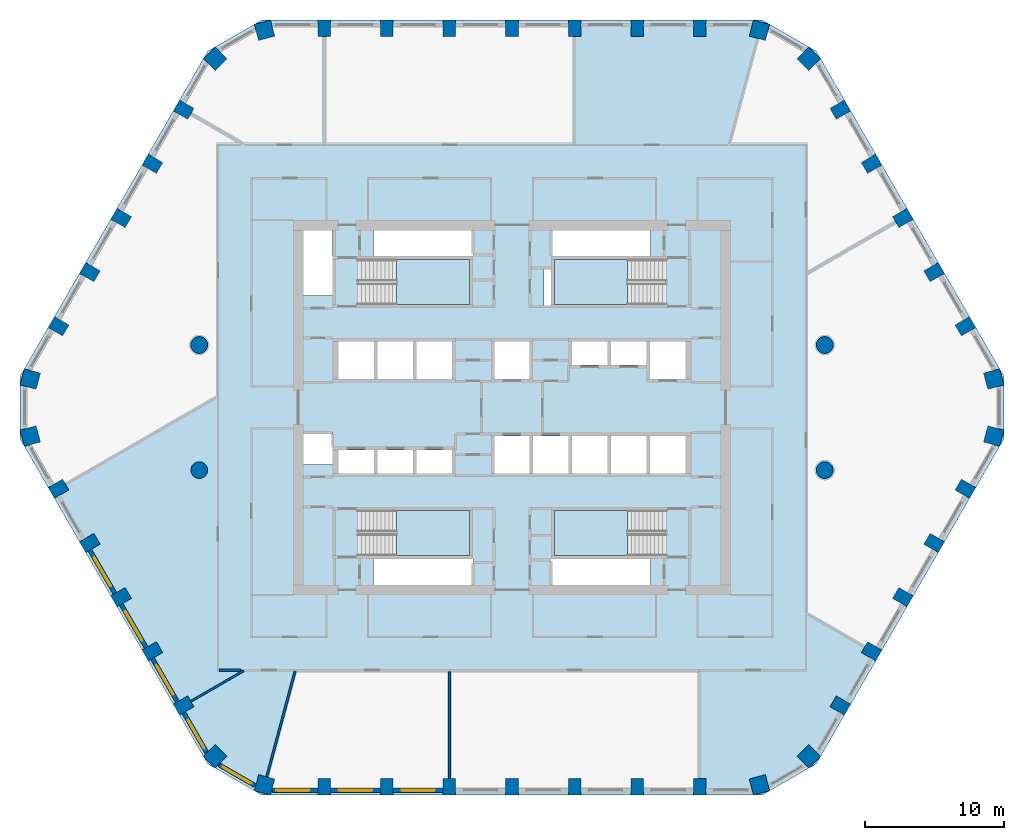
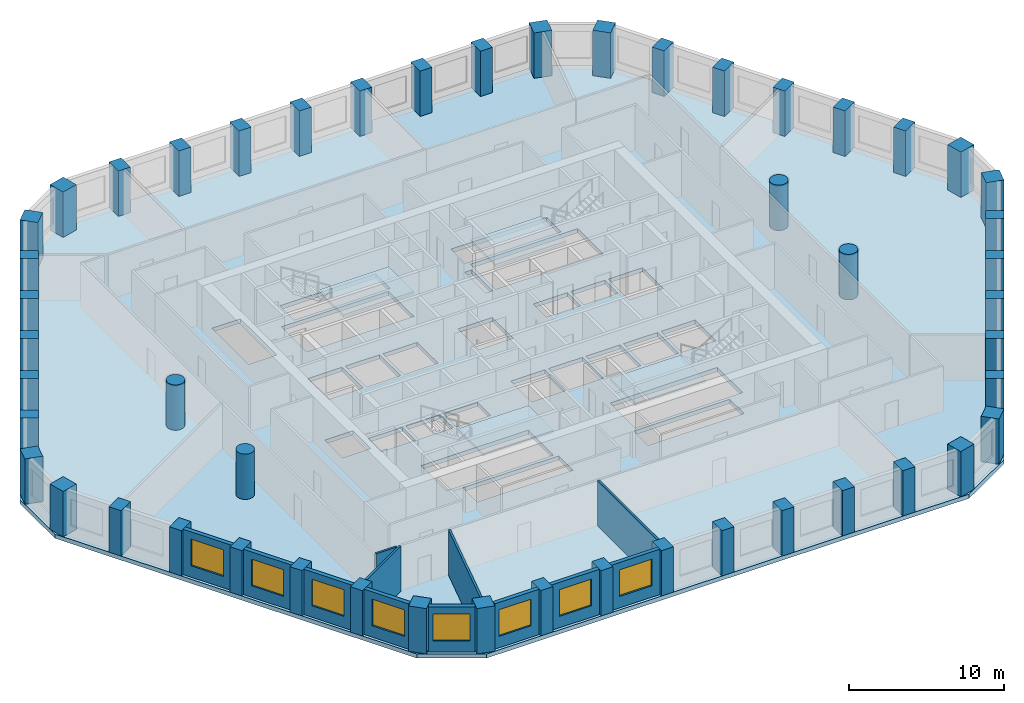
# One storey, part 1 of 14: 50 columns, 12 walls, 8 windows, 5 slabs, 8 openings, 4 elements without a shape of their own.
"""IFC4 building model written with IfcOpenShell, lengths in metres."""

from ifc_helpers import new_model, si_unit, direction, frame, frame_2d, origin, origin_2d, place, context, subcontext, project, spatial, polyline, rectangle, circle, outline, extrude, material, layer, layer_set, material_profile, profile_set, type_object, element, fill, aggregate, save


model = new_model("IFC4")

# Units and contexts
model_context = context("Model", 3, precision=1e-05, world=origin(), true_north=direction((0.0, 1.0)))
body_context = subcontext(model_context, "Body", "Model", "MODEL_VIEW")
ifc_project = project(units=[si_unit("LENGTHUNIT", "METRE"), si_unit("AREAUNIT", "SQUARE_METRE"), si_unit("VOLUMEUNIT", "CUBIC_METRE"), si_unit("PLANEANGLEUNIT", "RADIAN"), si_unit("MASSUNIT", "GRAM", prefix="KILO")], contexts=[model_context])

# Site, building, storey
site_placement = place(None, origin())
site = spatial("IfcSite", under=ifc_project, at=site_placement, CompositionType="ELEMENT")
building_placement = place(site_placement, origin())
building = spatial("IfcBuilding", under=site, at=building_placement, Name="Dhurran Vertical Campus", CompositionType="ELEMENT")
storey_placement = place(building_placement, frame((0.0, 0.0, 140.39990234375)))
storey = spatial("IfcBuildingStorey", under=building, at=storey_placement, Name="L34", CompositionType="ELEMENT", Elevation=140.39990234375)

# Columns
ifc_material_1 = material(Name="Concrete C60/75", Category="concrete")
ifc_material_profile_1 = material_profile(ifc_material_1, rectangle(XDim=1.199951171875, YDim=1.199951171875, at=origin_2d()), Name="RC 1200x1200")
ifc_profile_set_1 = profile_set([ifc_material_profile_1], Name="Concrete C60/75")
column_type_1 = type_object("IfcColumnType", Name="FR COL RC 1200x1200 C60/75", PredefinedType="COLUMN", material=ifc_profile_set_1)
for number, where, z_axis, x_axis, name in (
    (1, (-17.802978515625, -27.147705078125, 0.0), (0.0, 0.0, 1.0), (0.965925826289, -0.258819045103, 0.0), "Perimeter pier PP3.00"),
    (2, (17.802978515625, -27.147705078125, 0.0), (0.0, 0.0, 1.0), (0.965925826289, 0.258819045103, 0.0), "Perimeter pier PP3.08"),
    (3, (21.359130859375, -25.0947265625, 0.0), (0.0, 0.0, 1.0), (0.707106781187, 0.707106781187, 0.0), "Perimeter pier PP3.09"),
    (4, (34.662353515625, -2.052978515625, 0.0), (0.0, 0.0, 1.0), (0.258819045103, 0.965925826289, 0.0), "Perimeter pier PP3.15"),
    (5, (34.662353515625, 2.052978515625, 0.0), (0.0, 0.0, 1.0), (-0.258819045103, 0.965925826289, 0.0), "Perimeter pier PP3.16"),
    (6, (21.359130859375, 25.0947265625, 0.0), (0.0, 0.0, 1.0), (-0.707106781187, 0.707106781187, 0.0), "Perimeter pier PP3.22"),
    (7, (17.802978515625, 27.147705078125, 0.0), (0.0, 0.0, 1.0), (-0.965925826289, 0.258819045103, 0.0), "Perimeter pier PP3.23"),
    (8, (-17.802978515625, 27.147705078125, 0.0), (0.0, 0.0, 1.0), (-0.965925826289, -0.258819045103, 0.0), "Perimeter pier PP3.31"),
    (9, (-21.359130859375, 25.0947265625, 0.0), (0.0, 0.0, 1.0), (-0.707106781187, -0.707106781187, 0.0), "Perimeter pier PP3.32"),
    (10, (-34.662353515625, 2.052978515625, 0.0), (0.0, 0.0, 1.0), (-0.258819045103, -0.965925826289, 0.0), "Perimeter pier PP3.38"),
    (11, (-34.662353515625, -2.052978515625, 0.0), (0.0, 0.0, 1.0), (0.258819045103, -0.965925826289, 0.0), "Perimeter pier PP3.39"),
    (12, (-21.359130859375, -25.0947265625, 0.0), (0.0, 0.0, 1.0), (0.707106781187, -0.707106781187, 0.0), "Perimeter pier PP3.45"),
):
    element("IfcColumn", number, at=place(storey_placement, frame(where, z_axis=z_axis, x_axis=x_axis)), inside=storey, type_object=column_type_1, Name=name, PredefinedType="COLUMN", context=body_context, shape_type="SweptSolid", body=[
        extrude(rectangle(XDim=1.199951171875, YDim=1.199951171875, at=origin_2d()), origin(), (0.0, 0.0, 1.0), 3.5751953125),
    ])
ifc_material_2 = material(Name="Concrete C60/75", Category="concrete")
ifc_material_profile_2 = material_profile(ifc_material_2, rectangle(XDim=0.89990234375, YDim=1.199951171875, at=origin_2d()), Name="RC 900x1200")
ifc_profile_set_2 = profile_set([ifc_material_profile_2], Name="Concrete C60/75")
column_type_2 = type_object("IfcColumnType", Name="FR COL RC 900x1200 C60/75", PredefinedType="COLUMN", material=ifc_profile_set_2)
for number, where, z_axis, x_axis, name in (
    (13, (-13.5, -27.28271484375, 0.0), (0.0, 0.0, 1.0), (1.0, 0.0, 0.0), "Perimeter pier PP3.01"),
    (14, (-9.0, -27.28271484375, 0.0), (0.0, 0.0, 1.0), (1.0, 0.0, 0.0), "Perimeter pier PP3.02"),
    (15, (-4.5, -27.28271484375, 0.0), (0.0, 0.0, 1.0), (1.0, 0.0, 0.0), "Perimeter pier PP3.03"),
    (16, (0.0, -27.28271484375, 0.0), (0.0, 0.0, 1.0), (1.0, 0.0, 0.0), "Perimeter pier PP3.04"),
    (17, (4.5, -27.28271484375, 0.0), (0.0, 0.0, 1.0), (1.0, 0.0, 0.0), "Perimeter pier PP3.05"),
    (18, (9.0, -27.28271484375, 0.0), (0.0, 0.0, 1.0), (1.0, 0.0, 0.0), "Perimeter pier PP3.06"),
    (19, (13.5, -27.28271484375, 0.0), (0.0, 0.0, 1.0), (1.0, 0.0, 0.0), "Perimeter pier PP3.07"),
    (20, (23.62744140625, -21.435546875, 0.0), (0.0, 0.0, 1.0), (0.5, 0.866025403784, 0.0), "Perimeter pier PP3.10"),
    (21, (25.87744140625, -17.53857421875, 0.0), (0.0, 0.0, 1.0), (0.5, 0.866025403784, 0.0), "Perimeter pier PP3.11"),
    (22, (28.12744140625, -13.641357421875, 0.0), (0.0, 0.0, 1.0), (0.5, 0.866025403784, 0.0), "Perimeter pier PP3.12"),
    (23, (30.37744140625, -9.744140625, 0.0), (0.0, 0.0, 1.0), (0.5, 0.866025403784, 0.0), "Perimeter pier PP3.13"),
    (24, (32.62744140625, -5.84716796875, 0.0), (0.0, 0.0, 1.0), (0.5, 0.866025403784, 0.0), "Perimeter pier PP3.14"),
    (25, (32.62744140625, 5.84716796875, 0.0), (0.0, 0.0, 1.0), (-0.5, 0.866025403784, 0.0), "Perimeter pier PP3.17"),
    (26, (30.37744140625, 9.744140625, 0.0), (0.0, 0.0, 1.0), (-0.5, 0.866025403784, 0.0), "Perimeter pier PP3.18"),
    (27, (28.12744140625, 13.641357421875, 0.0), (0.0, 0.0, 1.0), (-0.5, 0.866025403784, 0.0), "Perimeter pier PP3.19"),
    (28, (25.87744140625, 17.53857421875, 0.0), (0.0, 0.0, 1.0), (-0.5, 0.866025403784, 0.0), "Perimeter pier PP3.20"),
    (29, (23.62744140625, 21.435546875, 0.0), (0.0, 0.0, 1.0), (-0.5, 0.866025403784, 0.0), "Perimeter pier PP3.21"),
    (30, (13.5, 27.28271484375, 0.0), (0.0, 0.0, 1.0), (-1.0, 0.0, 0.0), "Perimeter pier PP3.24"),
    (31, (9.0, 27.28271484375, 0.0), (0.0, 0.0, 1.0), (-1.0, 0.0, 0.0), "Perimeter pier PP3.25"),
    (32, (4.5, 27.28271484375, 0.0), (0.0, 0.0, 1.0), (-1.0, 0.0, 0.0), "Perimeter pier PP3.26"),
    (33, (0.0, 27.28271484375, 0.0), (0.0, 0.0, 1.0), (-1.0, 0.0, 0.0), "Perimeter pier PP3.27"),
    (34, (-4.5, 27.28271484375, 0.0), (0.0, 0.0, 1.0), (-1.0, 0.0, 0.0), "Perimeter pier PP3.28"),
    (35, (-9.0, 27.28271484375, 0.0), (0.0, 0.0, 1.0), (-1.0, 0.0, 0.0), "Perimeter pier PP3.29"),
    (36, (-13.5, 27.28271484375, 0.0), (0.0, 0.0, 1.0), (-1.0, 0.0, 0.0), "Perimeter pier PP3.30"),
    (37, (-23.62744140625, 21.435546875, 0.0), (0.0, 0.0, 1.0), (-0.5, -0.866025403784, 0.0), "Perimeter pier PP3.33"),
    (38, (-25.87744140625, 17.53857421875, 0.0), (0.0, 0.0, 1.0), (-0.5, -0.866025403784, 0.0), "Perimeter pier PP3.34"),
    (39, (-28.12744140625, 13.641357421875, 0.0), (0.0, 0.0, 1.0), (-0.5, -0.866025403784, 0.0), "Perimeter pier PP3.35"),
    (40, (-30.37744140625, 9.744140625, 0.0), (0.0, 0.0, 1.0), (-0.5, -0.866025403784, 0.0), "Perimeter pier PP3.36"),
    (41, (-32.62744140625, 5.84716796875, 0.0), (0.0, 0.0, 1.0), (-0.5, -0.866025403784, 0.0), "Perimeter pier PP3.37"),
    (42, (-32.62744140625, -5.84716796875, 0.0), (0.0, 0.0, 1.0), (0.5, -0.866025403784, 0.0), "Perimeter pier PP3.40"),
    (43, (-30.37744140625, -9.744140625, 0.0), (0.0, 0.0, 1.0), (0.5, -0.866025403784, 0.0), "Perimeter pier PP3.41"),
    (44, (-28.12744140625, -13.641357421875, 0.0), (0.0, 0.0, 1.0), (0.5, -0.866025403784, 0.0), "Perimeter pier PP3.42"),
    (45, (-25.87744140625, -17.53857421875, 0.0), (0.0, 0.0, 1.0), (0.5, -0.866025403784, 0.0), "Perimeter pier PP3.43"),
    (46, (-23.62744140625, -21.435546875, 0.0), (0.0, 0.0, 1.0), (0.5, -0.866025403784, 0.0), "Perimeter pier PP3.44"),
):
    element("IfcColumn", number, at=place(storey_placement, frame(where, z_axis=z_axis, x_axis=x_axis)), inside=storey, type_object=column_type_2, Name=name, PredefinedType="COLUMN", context=body_context, shape_type="SweptSolid", body=[
        extrude(rectangle(XDim=0.89990234375, YDim=1.199951171875, at=origin_2d()), origin(), (0.0, 0.0, 1.0), 3.5751953125),
    ])
ifc_material_3 = material(Name="Concrete C60/75", Category="concrete")
ifc_material_profile_3 = material_profile(ifc_material_3, circle(Radius=0.60009765625, at=origin_2d()), Name="RCC D1200")
ifc_profile_set_3 = profile_set([ifc_material_profile_3], Name="Concrete C60/75")
column_type_3 = type_object("IfcColumnType", Name="FR COL RCC D1200 C60/75", PredefinedType="COLUMN", material=ifc_profile_set_3)
for number, where, z_axis, x_axis, name in (
    (47, (-22.5, -4.5, 0.0), (0.0, 0.0, 1.0), (1.0, 0.0, 0.0), "Inner column IC3-D5"),
    (48, (-22.5, 4.5, 0.0), (0.0, 0.0, 1.0), (1.0, 0.0, 0.0), "Inner column IC3-D6"),
    (49, (22.5, -4.5, 0.0), (0.0, 0.0, 1.0), (1.0, 0.0, 0.0), "Inner column IC3-J5"),
    (50, (22.5, 4.5, 0.0), (0.0, 0.0, 1.0), (1.0, 0.0, 0.0), "Inner column IC3-J6"),
):
    element("IfcColumn", number, at=place(storey_placement, frame(where, z_axis=z_axis, x_axis=x_axis)), inside=storey, type_object=column_type_3, Name=name, PredefinedType="COLUMN", context=body_context, shape_type="SweptSolid", body=[
        extrude(circle(Radius=0.60009765625, at=origin_2d()), origin(), (0.0, 0.0, 1.0), 3.5751953125),
    ])

# Slab
ifc_material_4 = material(Name="Concrete C40/50", Category="concrete")
ifc_layer_1 = layer(ifc_material_4, 0.324951171875)
ifc_layer_set_1 = layer_set([ifc_layer_1], Name="Concrete C40/50")
slab_type_1 = type_object("IfcSlabType", Name="FR POST-TENSIONED FLAT SLAB 325", PredefinedType="FLOOR", material=ifc_layer_set_1)
slab_1_placement = place(storey_placement, frame((0.0, 0.0, -0.324951171875)))
element("IfcSlab", 51, at=slab_1_placement, inside=storey, type_object=slab_type_1, Name="Floor slab L34", PredefinedType="FLOOR", context=body_context, shape_type="SweptSolid", body=[
    extrude(outline(polyline([(-18.0, -27.8828125), (18.0, -27.8828125), (21.897216796875, -25.6328125), (35.397216796875, -2.25), (35.397216796875, 2.25), (21.897216796875, 25.6328125), (18.0, 27.8828125), (-18.0, 27.8828125), (-21.897216796875, 25.6328125), (-35.397216796875, 2.25), (-35.397216796875, -2.25), (-21.897216796875, -25.6328125), (-18.0, -27.8828125)]), holes=[polyline([(-12.47509765625, 2.050048828125), (-9.925048828125, 2.050048828125), (-9.925048828125, 4.75), (-12.47509765625, 4.75), (-12.47509765625, 2.050048828125)]), polyline([(-9.675048828125, 2.050048828125), (-7.125, 2.050048828125), (-7.125, 4.75), (-9.675048828125, 4.75), (-9.675048828125, 2.050048828125)]), polyline([(-6.875, 2.050048828125), (-4.324951171875, 2.050048828125), (-4.324951171875, 4.75), (-6.875, 4.75), (-6.875, 2.050048828125)]), polyline([(-1.27490234375, 2.050048828125), (1.27490234375, 2.050048828125), (1.27490234375, 4.75), (-1.27490234375, 4.75), (-1.27490234375, 2.050048828125)]), polyline([(9.925048828125, 2.050048828125), (12.47509765625, 2.050048828125), (12.47509765625, 4.75), (9.925048828125, 4.75), (9.925048828125, 2.050048828125)]), polyline([(-1.27490234375, -4.75), (1.27490234375, -4.75), (1.27490234375, -2.050048828125), (-1.27490234375, -2.050048828125), (-1.27490234375, -4.75)]), polyline([(1.52490234375, -4.75), (4.074951171875, -4.75), (4.074951171875, -2.050048828125), (1.52490234375, -2.050048828125), (1.52490234375, -4.75)]), polyline([(4.324951171875, -4.75), (6.875, -4.75), (6.875, -2.050048828125), (4.324951171875, -2.050048828125), (4.324951171875, -4.75)]), polyline([(7.125, -4.75), (9.675048828125, -4.75), (9.675048828125, -2.050048828125), (7.125, -2.050048828125), (7.125, -4.75)]), polyline([(9.925048828125, -4.75), (12.47509765625, -4.75), (12.47509765625, -2.050048828125), (9.925048828125, -2.050048828125), (9.925048828125, -4.75)]), polyline([(4.324951171875, 3.050048828125), (6.875, 3.050048828125), (6.875, 4.75), (4.324951171875, 4.75), (4.324951171875, 3.050048828125)]), polyline([(7.125, 3.050048828125), (9.675048828125, 3.050048828125), (9.675048828125, 4.75), (7.125, 4.75), (7.125, 3.050048828125)]), polyline([(-12.47509765625, -4.75), (-9.925048828125, -4.75), (-9.925048828125, -3.050048828125), (-12.47509765625, -3.050048828125), (-12.47509765625, -4.75)]), polyline([(-9.675048828125, -4.75), (-7.125, -4.75), (-7.125, -3.050048828125), (-9.675048828125, -3.050048828125), (-9.675048828125, -4.75)]), polyline([(-6.875, -4.75), (-4.324951171875, -4.75), (-4.324951171875, -3.050048828125), (-6.875, -3.050048828125), (-6.875, -4.75)]), polyline([(-11.050048828125, 7.39990234375), (-3.050048828125, 7.39990234375), (-3.050048828125, 10.64990234375), (-11.050048828125, 10.64990234375), (-11.050048828125, 7.39990234375)]), polyline([(3.050048828125, 7.39990234375), (11.050048828125, 7.39990234375), (11.050048828125, 10.64990234375), (3.050048828125, 10.64990234375), (3.050048828125, 7.39990234375)]), polyline([(-11.050048828125, -10.64990234375), (-3.050048828125, -10.64990234375), (-3.050048828125, -7.39990234375), (-11.050048828125, -7.39990234375), (-11.050048828125, -10.64990234375)]), polyline([(3.050048828125, -10.64990234375), (11.050048828125, -10.64990234375), (11.050048828125, -7.39990234375), (3.050048828125, -7.39990234375), (3.050048828125, -10.64990234375)]), polyline([(-12.89990234375, -4.10009765625), (-15.0, -4.10009765625), (-15.0, -1.800048828125), (-12.89990234375, -1.800048828125), (-12.89990234375, -4.10009765625)]), polyline([(-9.949951171875, 10.89990234375), (-9.949951171875, 12.75), (-2.800048828125, 12.75), (-2.800048828125, 10.89990234375), (-9.949951171875, 10.89990234375)]), polyline([(9.949951171875, 12.75), (9.949951171875, 10.89990234375), (2.800048828125, 10.89990234375), (2.800048828125, 12.75), (9.949951171875, 12.75)]), polyline([(-9.949951171875, -12.75), (-9.949951171875, -10.89990234375), (-2.800048828125, -10.89990234375), (-2.800048828125, -12.75), (-9.949951171875, -12.75)]), polyline([(9.949951171875, -10.89990234375), (9.949951171875, -12.75), (2.800048828125, -12.75), (2.800048828125, -10.89990234375), (9.949951171875, -10.89990234375)]), polyline([(2.300048828125, 7.35009765625), (2.300048828125, 10.050048828125), (2.800048828125, 10.050048828125), (2.800048828125, 7.35009765625), (2.300048828125, 7.35009765625)]), polyline([(-12.89990234375, 8.050048828125), (-15.0, 8.050048828125), (-15.0, 12.75), (-12.89990234375, 12.75), (-12.89990234375, 8.050048828125)])]), origin(), (0.0, 0.0, 1.0), 0.324951171875),
])

# Stair, slab
ifc_material_5 = material(Name="Concrete C40/50", Category="concrete")
stair_type = type_object("IfcStairType", Name="co-ST-CORE", PredefinedType="HALF_TURN_STAIR", material=ifc_material_5)
stair_1_placement = place(storey_placement, origin())
stair_1 = element("IfcStair", 52, at=stair_1_placement, inside=storey, type_object=stair_type, Name="L34 Protected exit stair ST1", PredefinedType="HALF_TURN_STAIR")
ifc_material_6 = material(Name="Concrete C40/50", Category="concrete")
ifc_layer_2 = layer(ifc_material_6, 0.199951171875)
ifc_layer_set_2 = layer_set([ifc_layer_2], Name="Concrete C40/50")
slab_type_2 = type_object("IfcSlabType", Name="co-SL-LANDING", PredefinedType="LANDING", material=ifc_layer_set_2)
slab_2_placement = place(storey_placement, frame((0.0, 0.0, 1.75)))
slab_2 = element("IfcSlab", 53, at=slab_2_placement, type_object=slab_type_2, Name="ST1 landing 1", PredefinedType="LANDING", context=body_context, shape_type="SweptSolid", body=[
    extrude(outline(polyline([(-8.300048828125, 7.39990234375), (-3.050048828125, 7.39990234375), (-3.050048828125, 10.64990234375), (-8.300048828125, 10.64990234375), (-8.300048828125, 7.39990234375)])), origin(), (0.0, 0.0, 1.0), 0.2001953125),
])
aggregate(stair_1, [slab_2])

stair_2_placement = place(storey_placement, origin())
stair_2 = element("IfcStair", 54, at=stair_2_placement, inside=storey, type_object=stair_type, Name="L34 Protected exit stair ST2", PredefinedType="HALF_TURN_STAIR")
slab_3_placement = place(storey_placement, frame((0.0, 0.0, 1.75)))
slab_3 = element("IfcSlab", 55, at=slab_3_placement, type_object=slab_type_2, Name="ST2 landing 1", PredefinedType="LANDING", context=body_context, shape_type="SweptSolid", body=[
    extrude(outline(polyline([(8.300048828125, 10.64990234375), (3.050048828125, 10.64990234375), (3.050048828125, 7.39990234375), (8.300048828125, 7.39990234375), (8.300048828125, 10.64990234375)])), origin(), (0.0, 0.0, 1.0), 0.2001953125),
])
aggregate(stair_2, [slab_3])

stair_3_placement = place(storey_placement, origin())
stair_3 = element("IfcStair", 56, at=stair_3_placement, inside=storey, type_object=stair_type, Name="L34 Protected exit stair ST3", PredefinedType="HALF_TURN_STAIR")
slab_4_placement = place(storey_placement, frame((0.0, 0.0, 1.75)))
slab_4 = element("IfcSlab", 57, at=slab_4_placement, type_object=slab_type_2, Name="ST3 landing 1", PredefinedType="LANDING", context=body_context, shape_type="SweptSolid", body=[
    extrude(outline(polyline([(-8.300048828125, -10.64990234375), (-3.050048828125, -10.64990234375), (-3.050048828125, -7.39990234375), (-8.300048828125, -7.39990234375), (-8.300048828125, -10.64990234375)])), origin(), (0.0, 0.0, 1.0), 0.2001953125),
])
aggregate(stair_3, [slab_4])

stair_4_placement = place(storey_placement, origin())
stair_4 = element("IfcStair", 58, at=stair_4_placement, inside=storey, type_object=stair_type, Name="L34 Protected exit stair ST4", PredefinedType="HALF_TURN_STAIR")
slab_5_placement = place(storey_placement, frame((0.0, 0.0, 1.75)))
slab_5 = element("IfcSlab", 59, at=slab_5_placement, type_object=slab_type_2, Name="ST4 landing 1", PredefinedType="LANDING", context=body_context, shape_type="SweptSolid", body=[
    extrude(outline(polyline([(8.300048828125, -7.39990234375), (3.050048828125, -7.39990234375), (3.050048828125, -10.64990234375), (8.300048828125, -10.64990234375), (8.300048828125, -7.39990234375)])), origin(), (0.0, 0.0, 1.0), 0.2001953125),
])
aggregate(stair_4, [slab_5])

# Wall, opening, window
ifc_material_7 = material(Name="Precast concrete C50/60", Category="concrete")
ifc_layer_3 = layer(ifc_material_7, 0.300048828125)
ifc_layer_set_3 = layer_set([ifc_layer_3], Name="Precast concrete C50/60")
wall_type_1 = type_object("IfcWallType", Name="Precast spandrel wall 300", PredefinedType="SOLIDWALL", material=ifc_layer_set_3)
wall_1_placement = place(storey_placement, frame((-17.24462890625, -27.53271484375, 0.0), z_axis=(0.0, 0.0, 1.0), x_axis=(1.0, 0.0, 0.0)))
wall_1 = element("IfcWall", 60, at=wall_1_placement, inside=storey, type_object=wall_type_1, Name="EW1 L34.00", PredefinedType="SOLIDWALL", context=body_context, shape_type="SweptSolid", body=[
    extrude(rectangle(XDim=3.294189453125, YDim=0.300048828125, at=frame_2d((1.64697265625, 0.0))), origin(), (0.0, 0.0, 1.0), 3.5751953125),
])
opening_1_placement = place(wall_1_placement, frame((0.294677734375, 0.0, 0.89990234375)))
opening_1 = element("IfcOpeningElement", 61, at=opening_1_placement, cuts=wall_1, Name="Opening WT1", PredefinedType="OPENING", context=body_context, shape_type="SweptSolid", body=[
    extrude(rectangle(XDim=2.39990234375, YDim=2.10009765625, at=frame_2d((1.199951171875, 1.050048828125))), frame((0.0, 0.159912109375, 0.0), z_axis=(0.0, -1.0, 0.0), x_axis=(1.0, 0.0, 0.0)), (0.0, 0.0, 1.0), 0.320068359375),
])
ifc_material_8 = material(Name="Aluminium frame with solar-control glass", Category="aluminium")
window_type = type_object("IfcWindowType", Name="Punched window 2400 x 2100", PartitioningType="SINGLE_PANEL", PredefinedType="WINDOW", material=ifc_material_8)
window_1_placement = place(opening_1_placement, origin())
window_1 = element("IfcWindow", 62, at=window_1_placement, inside=storey, type_object=window_type, Name="WT1 L34.00", OverallHeight=2.10009765625, OverallWidth=2.39990234375, PartitioningType="SINGLE_PANEL", PredefinedType="WINDOW", context=body_context, shape_type="SweptSolid", body=[
    extrude(rectangle(XDim=2.39990234375, YDim=2.10009765625, at=frame_2d((1.199951171875, 1.050048828125))), frame((0.0, 0.030029296875, 0.0), z_axis=(0.0, -1.0, 0.0), x_axis=(1.0, 0.0, 0.0)), (0.0, 0.0, 1.0), 0.06005859375),
])
fill(opening_1, window_1)

wall_2_placement = place(storey_placement, frame((-13.049560546875, -27.53271484375, 0.0), z_axis=(0.0, 0.0, 1.0), x_axis=(1.0, 0.0, 0.0)))
wall_2 = element("IfcWall", 63, at=wall_2_placement, inside=storey, type_object=wall_type_1, Name="EW1 L34.01", PredefinedType="SOLIDWALL", context=body_context, shape_type="SweptSolid", body=[
    extrude(rectangle(XDim=3.59912109375, YDim=0.300048828125, at=frame_2d((1.799560546875, 0.0))), origin(), (0.0, 0.0, 1.0), 3.5751953125),
])
opening_2_placement = place(wall_2_placement, frame((0.599609375, 0.0, 0.89990234375)))
opening_2 = element("IfcOpeningElement", 64, at=opening_2_placement, cuts=wall_2, Name="Opening WT1", PredefinedType="OPENING", context=body_context, shape_type="SweptSolid", body=[
    extrude(rectangle(XDim=2.39990234375, YDim=2.10009765625, at=frame_2d((1.199951171875, 1.050048828125))), frame((0.0, 0.159912109375, 0.0), z_axis=(0.0, -1.0, 0.0), x_axis=(1.0, 0.0, 0.0)), (0.0, 0.0, 1.0), 0.320068359375),
])
window_2_placement = place(opening_2_placement, origin())
window_2 = element("IfcWindow", 65, at=window_2_placement, inside=storey, type_object=window_type, Name="WT1 L34.01", OverallHeight=2.10009765625, OverallWidth=2.39990234375, PartitioningType="SINGLE_PANEL", PredefinedType="WINDOW", context=body_context, shape_type="SweptSolid", body=[
    extrude(rectangle(XDim=2.39990234375, YDim=2.10009765625, at=frame_2d((1.199951171875, 1.050048828125))), frame((0.0, 0.030029296875, 0.0), z_axis=(0.0, -1.0, 0.0), x_axis=(1.0, 0.0, 0.0)), (0.0, 0.0, 1.0), 0.06005859375),
])
fill(opening_2, window_2)

wall_3_placement = place(storey_placement, frame((-8.549560546875, -27.53271484375, 0.0), z_axis=(0.0, 0.0, 1.0), x_axis=(1.0, 0.0, 0.0)))
wall_3 = element("IfcWall", 66, at=wall_3_placement, inside=storey, type_object=wall_type_1, Name="EW1 L34.02", PredefinedType="SOLIDWALL", context=body_context, shape_type="SweptSolid", body=[
    extrude(rectangle(XDim=3.59912109375, YDim=0.300048828125, at=frame_2d((1.799560546875, 0.0))), origin(), (0.0, 0.0, 1.0), 3.5751953125),
])
opening_3_placement = place(wall_3_placement, frame((0.599609375, 0.0, 0.89990234375)))
opening_3 = element("IfcOpeningElement", 67, at=opening_3_placement, cuts=wall_3, Name="Opening WT1", PredefinedType="OPENING", context=body_context, shape_type="SweptSolid", body=[
    extrude(rectangle(XDim=2.39990234375, YDim=2.10009765625, at=frame_2d((1.199951171875, 1.050048828125))), frame((0.0, 0.159912109375, 0.0), z_axis=(0.0, -1.0, 0.0), x_axis=(1.0, 0.0, 0.0)), (0.0, 0.0, 1.0), 0.320068359375),
])
window_3_placement = place(opening_3_placement, origin())
window_3 = element("IfcWindow", 68, at=window_3_placement, inside=storey, type_object=window_type, Name="WT1 L34.02", OverallHeight=2.10009765625, OverallWidth=2.39990234375, PartitioningType="SINGLE_PANEL", PredefinedType="WINDOW", context=body_context, shape_type="SweptSolid", body=[
    extrude(rectangle(XDim=2.39990234375, YDim=2.10009765625, at=frame_2d((1.199951171875, 1.050048828125))), frame((0.0, 0.030029296875, 0.0), z_axis=(0.0, -1.0, 0.0), x_axis=(1.0, 0.0, 0.0)), (0.0, 0.0, 1.0), 0.06005859375),
])
fill(opening_3, window_3)

wall_4_placement = place(storey_placement, frame((-30.368896484375, -10.259521484375, 0.0), z_axis=(0.0, 0.0, 1.0), x_axis=(0.500027802648, -0.866009351323, 0.0)))
wall_4 = element("IfcWall", 69, at=wall_4_placement, inside=storey, type_object=wall_type_1, Name="EW1 L34.41", PredefinedType="SOLIDWALL", context=body_context, shape_type="SweptSolid", body=[
    extrude(rectangle(XDim=3.598876953125, YDim=0.300048828125, at=frame_2d((1.79931640625, 0.0))), origin(), (0.0, 0.0, 1.0), 3.5751953125),
])
opening_4_placement = place(wall_4_placement, frame((0.599609375, 0.0, 0.89990234375)))
opening_4 = element("IfcOpeningElement", 70, at=opening_4_placement, cuts=wall_4, Name="Opening WT1", PredefinedType="OPENING", context=body_context, shape_type="SweptSolid", body=[
    extrude(rectangle(XDim=2.39990234375, YDim=2.10009765625, at=frame_2d((1.199951171875, 1.050048828125))), frame((0.0, 0.159912109375, 0.0), z_axis=(0.0, -1.0, 0.0), x_axis=(1.0, 0.0, 0.0)), (0.0, 0.0, 1.0), 0.320068359375),
])
window_4_placement = place(opening_4_placement, origin())
window_4 = element("IfcWindow", 71, at=window_4_placement, inside=storey, type_object=window_type, Name="WT1 L34.41", OverallHeight=2.10009765625, OverallWidth=2.39990234375, PartitioningType="SINGLE_PANEL", PredefinedType="WINDOW", context=body_context, shape_type="SweptSolid", body=[
    extrude(rectangle(XDim=2.39990234375, YDim=2.10009765625, at=frame_2d((1.199951171875, 1.050048828125))), frame((0.0, 0.030029296875, 0.0), z_axis=(0.0, -1.0, 0.0), x_axis=(1.0, 0.0, 0.0)), (0.0, 0.0, 1.0), 0.06005859375),
])
fill(opening_4, window_4)

wall_5_placement = place(storey_placement, frame((-28.118896484375, -14.156494140625, 0.0), z_axis=(0.0, 0.0, 1.0), x_axis=(0.500027802648, -0.866009351323, 0.0)))
wall_5 = element("IfcWall", 72, at=wall_5_placement, inside=storey, type_object=wall_type_1, Name="EW1 L34.42", PredefinedType="SOLIDWALL", context=body_context, shape_type="SweptSolid", body=[
    extrude(rectangle(XDim=3.598876953125, YDim=0.300048828125, at=frame_2d((1.79931640625, 0.0))), origin(), (0.0, 0.0, 1.0), 3.5751953125),
])
opening_5_placement = place(wall_5_placement, frame((0.599609375, 0.0, 0.89990234375)))
opening_5 = element("IfcOpeningElement", 73, at=opening_5_placement, cuts=wall_5, Name="Opening WT1", PredefinedType="OPENING", context=body_context, shape_type="SweptSolid", body=[
    extrude(rectangle(XDim=2.39990234375, YDim=2.10009765625, at=frame_2d((1.199951171875, 1.050048828125))), frame((0.0, 0.159912109375, 0.0), z_axis=(0.0, -1.0, 0.0), x_axis=(1.0, 0.0, 0.0)), (0.0, 0.0, 1.0), 0.320068359375),
])
window_5_placement = place(opening_5_placement, origin())
window_5 = element("IfcWindow", 74, at=window_5_placement, inside=storey, type_object=window_type, Name="WT1 L34.42", OverallHeight=2.10009765625, OverallWidth=2.39990234375, PartitioningType="SINGLE_PANEL", PredefinedType="WINDOW", context=body_context, shape_type="SweptSolid", body=[
    extrude(rectangle(XDim=2.39990234375, YDim=2.10009765625, at=frame_2d((1.199951171875, 1.050048828125))), frame((0.0, 0.030029296875, 0.0), z_axis=(0.0, -1.0, 0.0), x_axis=(1.0, 0.0, 0.0)), (0.0, 0.0, 1.0), 0.06005859375),
])
fill(opening_5, window_5)

wall_6_placement = place(storey_placement, frame((-25.868896484375, -18.0537109375, 0.0), z_axis=(0.0, 0.0, 1.0), x_axis=(0.500027802648, -0.866009351323, 0.0)))
wall_6 = element("IfcWall", 75, at=wall_6_placement, inside=storey, type_object=wall_type_1, Name="EW1 L34.43", PredefinedType="SOLIDWALL", context=body_context, shape_type="SweptSolid", body=[
    extrude(rectangle(XDim=3.598876953125, YDim=0.300048828125, at=frame_2d((1.79931640625, 0.0))), origin(), (0.0, 0.0, 1.0), 3.5751953125),
])
opening_6_placement = place(wall_6_placement, frame((0.599609375, 0.0, 0.89990234375)))
opening_6 = element("IfcOpeningElement", 76, at=opening_6_placement, cuts=wall_6, Name="Opening WT1", PredefinedType="OPENING", context=body_context, shape_type="SweptSolid", body=[
    extrude(rectangle(XDim=2.39990234375, YDim=2.10009765625, at=frame_2d((1.199951171875, 1.050048828125))), frame((0.0, 0.159912109375, 0.0), z_axis=(0.0, -1.0, 0.0), x_axis=(1.0, 0.0, 0.0)), (0.0, 0.0, 1.0), 0.320068359375),
])
window_6_placement = place(opening_6_placement, origin())
window_6 = element("IfcWindow", 77, at=window_6_placement, inside=storey, type_object=window_type, Name="WT1 L34.43", OverallHeight=2.10009765625, OverallWidth=2.39990234375, PartitioningType="SINGLE_PANEL", PredefinedType="WINDOW", context=body_context, shape_type="SweptSolid", body=[
    extrude(rectangle(XDim=2.39990234375, YDim=2.10009765625, at=frame_2d((1.199951171875, 1.050048828125))), frame((0.0, 0.030029296875, 0.0), z_axis=(0.0, -1.0, 0.0), x_axis=(1.0, 0.0, 0.0)), (0.0, 0.0, 1.0), 0.06005859375),
])
fill(opening_6, window_6)

wall_7_placement = place(storey_placement, frame((-23.618896484375, -21.95068359375, 0.0), z_axis=(0.0, 0.0, 1.0), x_axis=(0.500036802197, -0.866004154983, 0.0)))
wall_7 = element("IfcWall", 78, at=wall_7_placement, inside=storey, type_object=wall_type_1, Name="EW1 L34.44", PredefinedType="SOLIDWALL", context=body_context, shape_type="SweptSolid", body=[
    extrude(rectangle(XDim=3.294189453125, YDim=0.300048828125, at=frame_2d((1.64697265625, 0.0))), origin(), (0.0, 0.0, 1.0), 3.5751953125),
])
opening_7_placement = place(wall_7_placement, frame((0.599609375, 0.0, 0.89990234375)))
opening_7 = element("IfcOpeningElement", 79, at=opening_7_placement, cuts=wall_7, Name="Opening WT1", PredefinedType="OPENING", context=body_context, shape_type="SweptSolid", body=[
    extrude(rectangle(XDim=2.39990234375, YDim=2.10009765625, at=frame_2d((1.199951171875, 1.050048828125))), frame((0.0, 0.159912109375, 0.0), z_axis=(0.0, -1.0, 0.0), x_axis=(1.0, 0.0, 0.0)), (0.0, 0.0, 1.0), 0.320068359375),
])
window_7_placement = place(opening_7_placement, origin())
window_7 = element("IfcWindow", 80, at=window_7_placement, inside=storey, type_object=window_type, Name="WT1 L34.44", OverallHeight=2.10009765625, OverallWidth=2.39990234375, PartitioningType="SINGLE_PANEL", PredefinedType="WINDOW", context=body_context, shape_type="SweptSolid", body=[
    extrude(rectangle(XDim=2.39990234375, YDim=2.10009765625, at=frame_2d((1.199951171875, 1.050048828125))), frame((0.0, 0.030029296875, 0.0), z_axis=(0.0, -1.0, 0.0), x_axis=(1.0, 0.0, 0.0)), (0.0, 0.0, 1.0), 0.06005859375),
])
fill(opening_7, window_7)

wall_8_placement = place(storey_placement, frame((-21.06787109375, -25.707275390625, 0.0), z_axis=(0.0, 0.0, 1.0), x_axis=(0.866012844897, -0.500021752, 0.0)))
wall_8 = element("IfcWall", 81, at=wall_8_placement, inside=storey, type_object=wall_type_1, Name="EW1 L34.45", PredefinedType="SOLIDWALL", context=body_context, shape_type="SweptSolid", body=[
    extrude(rectangle(XDim=2.989013671875, YDim=0.300048828125, at=frame_2d((1.49462890625, 0.0))), origin(), (0.0, 0.0, 1.0), 3.5751953125),
])
opening_8_placement = place(wall_8_placement, frame((0.294677734375, 0.0, 0.89990234375)))
opening_8 = element("IfcOpeningElement", 82, at=opening_8_placement, cuts=wall_8, Name="Opening WT1", PredefinedType="OPENING", context=body_context, shape_type="SweptSolid", body=[
    extrude(rectangle(XDim=2.39990234375, YDim=2.10009765625, at=frame_2d((1.199951171875, 1.050048828125))), frame((0.0, 0.159912109375, 0.0), z_axis=(0.0, -1.0, 0.0), x_axis=(1.0, 0.0, 0.0)), (0.0, 0.0, 1.0), 0.320068359375),
])
window_8_placement = place(opening_8_placement, origin())
window_8 = element("IfcWindow", 83, at=window_8_placement, inside=storey, type_object=window_type, Name="WT1 L34.45", OverallHeight=2.10009765625, OverallWidth=2.39990234375, PartitioningType="SINGLE_PANEL", PredefinedType="WINDOW", context=body_context, shape_type="SweptSolid", body=[
    extrude(rectangle(XDim=2.39990234375, YDim=2.10009765625, at=frame_2d((1.199951171875, 1.050048828125))), frame((0.0, 0.030029296875, 0.0), z_axis=(0.0, -1.0, 0.0), x_axis=(1.0, 0.0, 0.0)), (0.0, 0.0, 1.0), 0.06005859375),
])
fill(opening_8, window_8)

# Walls
ifc_material_9 = material(Name="Gypsum board corridor wall on steel studs", Category="steel")
ifc_layer_4 = layer(ifc_material_9, 0.14990234375)
ifc_layer_set_4 = layer_set([ifc_layer_4], Name="Gypsum board corridor wall on steel studs")
wall_type_2 = type_object("IfcWallType", Name="fl-CW-150 corridor wall", PredefinedType="PARTITIONING", material=ifc_layer_set_4)
wall_9_placement = place(storey_placement, frame((-21.074951171875, -18.89990234375, 0.0), z_axis=(0.0, 0.0, 1.0), x_axis=(1.0, 0.0, 0.0)))
element("IfcWall", 84, at=wall_9_placement, inside=storey, type_object=wall_type_2, Name="Partition 34-05", PredefinedType="PARTITIONING", context=body_context, shape_type="SweptSolid", body=[
    extrude(rectangle(XDim=1.56396484375, YDim=0.14990234375, at=frame_2d((0.781982421875, 0.0))), origin(), (0.0, 0.0, 1.0), 3.5751953125),
])
ifc_material_10 = material(Name="Gypsum board partition on steel studs", Category="steel")
ifc_layer_5 = layer(ifc_material_10, 0.14990234375)
ifc_layer_set_5 = layer_set([ifc_layer_5], Name="Gypsum board partition on steel studs")
wall_type_3 = type_object("IfcWallType", Name="fl-PW-150 fixed partition", PredefinedType="PARTITIONING", material=ifc_layer_set_5)
wall_10_placement = place(storey_placement, frame((-19.30078125, -18.9375, 0.0), z_axis=(0.0, 0.0, 1.0), x_axis=(-0.865968165673, -0.500099126214, 0.0)))
element("IfcWall", 85, at=wall_10_placement, inside=storey, type_object=wall_type_3, Name="Partition 34-02", PredefinedType="PARTITIONING", context=body_context, shape_type="SweptSolid", body=[
    extrude(rectangle(XDim=4.3759765625, YDim=0.14990234375, at=frame_2d((2.18798828125, 0.0))), origin(), (0.0, 0.0, 1.0), 3.5751953125),
])
wall_11_placement = place(storey_placement, frame((-15.6123046875, -18.972412109375, 0.0), z_axis=(0.0, 0.0, 1.0), x_axis=(-0.258869363255, -0.965912342176, 0.0)))
element("IfcWall", 86, at=wall_11_placement, inside=storey, type_object=wall_type_3, Name="Partition 34-20", PredefinedType="PARTITIONING", context=body_context, shape_type="SweptSolid", body=[
    extrude(rectangle(XDim=7.84375, YDim=0.14990234375, at=frame_2d((3.921875, 0.0))), origin(), (0.0, 0.0, 1.0), 3.5751953125),
])
wall_12_placement = place(storey_placement, frame((-4.5, -18.97509765625, 0.0), z_axis=(0.0, 0.0, 1.0), x_axis=(0.0, -1.0, 0.0)))
element("IfcWall", 87, at=wall_12_placement, inside=storey, type_object=wall_type_3, Name="Partition 34-30", PredefinedType="PARTITIONING", context=body_context, shape_type="SweptSolid", body=[
    extrude(rectangle(XDim=7.6875, YDim=0.14990234375, at=frame_2d((3.84375, 0.0))), origin(), (0.0, 0.0, 1.0), 3.5751953125),
])

save(model, "model.ifc")
